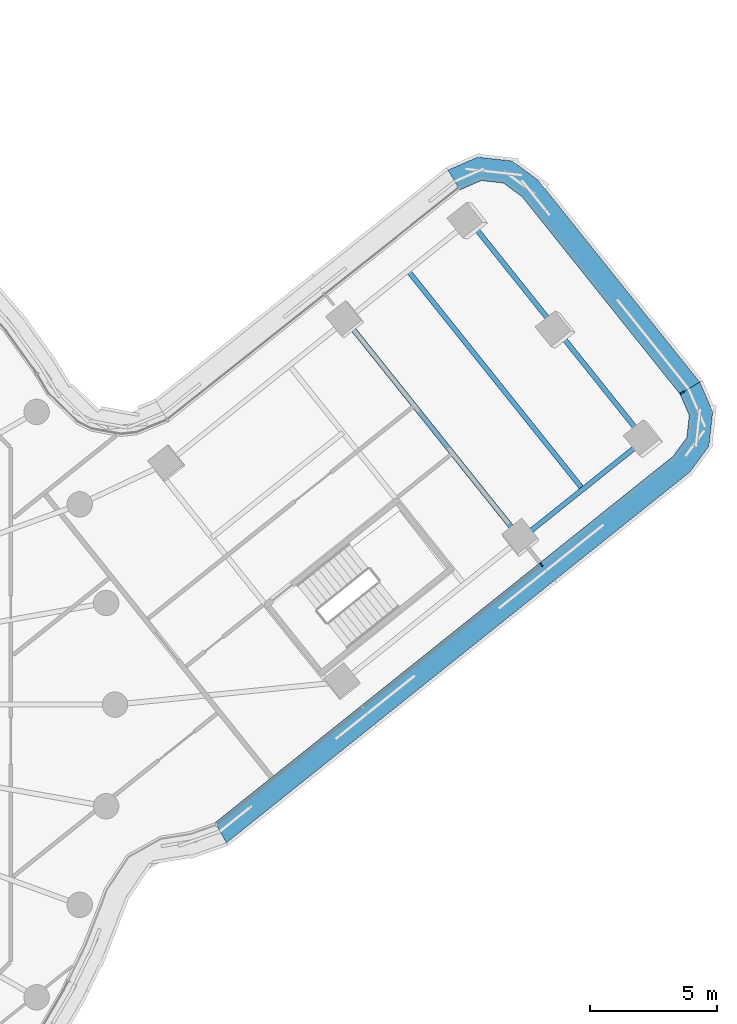
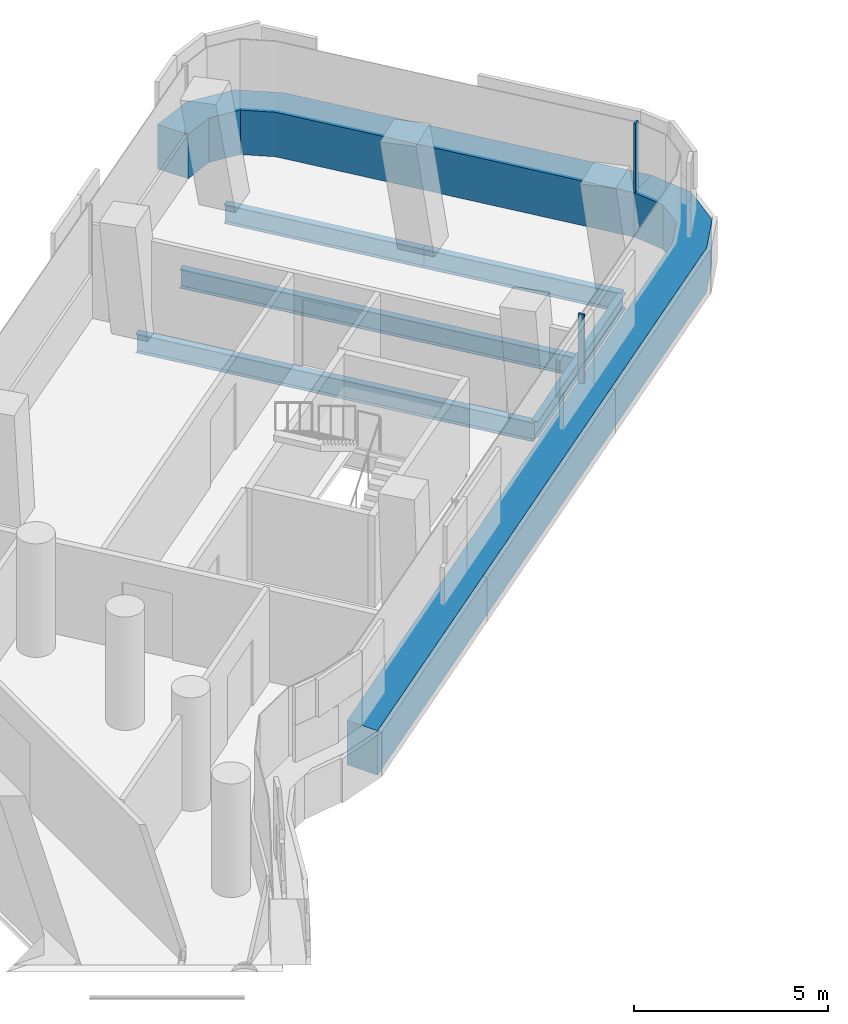
# One storey, part 12 of 31: 5 beams, 4 members, 2 elements without a shape of their own.
"""IFC4 building model written with IfcOpenShell, lengths in metres."""

from ifc_helpers import new_model, si_unit, direction, frame, origin, origin_2d, place, context, subcontext, project, spatial, polyline, rectangle, i_section, outline, extrude, material, layer, layer_set, material_profile, profile_set, type_object, element, aggregate, save


model = new_model("IFC4")

# Units and contexts
model_context = context("Model", 3, precision=1e-05, world=origin(), true_north=direction((0.0, 1.0)))
body_context = subcontext(model_context, "Body", "Model", "MODEL_VIEW")
ifc_project = project(units=[si_unit("LENGTHUNIT", "METRE"), si_unit("AREAUNIT", "SQUARE_METRE"), si_unit("VOLUMEUNIT", "CUBIC_METRE"), si_unit("PLANEANGLEUNIT", "RADIAN"), si_unit("MASSUNIT", "GRAM", prefix="KILO")], contexts=[model_context])

# Site, building, storey
site_placement = place(None, origin())
site = spatial("IfcSite", under=ifc_project, at=site_placement, CompositionType="ELEMENT")
building_placement = place(site_placement, origin())
building = spatial("IfcBuilding", under=site, at=building_placement, Name="Tamarind Cross Interchange Tower", CompositionType="ELEMENT")
storey_placement = place(building_placement, frame((0.0, 0.0, 174.25)))
storey = spatial("IfcBuildingStorey", under=building, at=storey_placement, Name="L43", CompositionType="ELEMENT", Elevation=174.25)

# Beams
ifc_material_1 = material(Name="Steel Q355B", Category="steel")
ifc_material_profile_1 = material_profile(ifc_material_1, i_section(OverallWidth=0.198974609375, OverallDepth=0.49609375, WebThickness=0.009033203125, FlangeThickness=0.013916015625, FilletRadius=0.012939453125, at=origin_2d()), Name="HN 496x199x9x14")
ifc_profile_set_1 = profile_set([ifc_material_profile_1], Name="Steel Q355B")
beam_type_1 = type_object("IfcBeamType", Name="Composite beam HN 496x199x9x14 Q355B", PredefinedType="BEAM", material=ifc_profile_set_1)
beam_placement = place(storey_placement, frame((43.814697265625, 10.406982421875, -0.387939453125), z_axis=(-0.780903184631, -0.624652076145, 0.0), x_axis=(0.624652076145, -0.780903184631, 0.0)))
element("IfcBeam", 1, at=beam_placement, inside=storey, type_object=beam_type_1, Name="Beam E-edgeem5", PredefinedType="BEAM", context=body_context, shape_type="SweptSolid", body=[
    extrude(i_section(OverallWidth=0.198974609375, OverallDepth=0.49609375, WebThickness=0.009033203125, FlangeThickness=0.013916015625, FilletRadius=0.012939453125, at=origin_2d()), origin(), (0.0, 0.0, 1.0), 6.23583984375),
])
ifc_material_profile_2 = material_profile(ifc_material_1, i_section(OverallWidth=0.199951171875, OverallDepth=0.60009765625, WebThickness=0.010986328125, FlangeThickness=0.01708984375, FilletRadius=0.012939453125, at=origin_2d()), Name="HN 600x200x11x17")
ifc_profile_set_2 = profile_set([ifc_material_profile_2], Name="Steel Q355B")
beam_type_2 = type_object("IfcBeamType", Name="Composite beam HN 600x200x11x17 Q355B", PredefinedType="BEAM", material=ifc_profile_set_2)
for number, where, z_axis, x_axis, name in (
    (2, (43.814697265625, 10.406982421875, -0.43994140625), (-0.624678807739, 0.780881801019, 0.0), (-0.780881801019, -0.624678807739, 0.0), "Beam E-tip0"),
    (3, (40.37890625, 14.701904296875, -0.43994140625), (-0.624651739578, 0.780903453855, 0.0), (-0.780903453855, -0.624651739578, 0.0), "Beam E-tip1"),
):
    element("IfcBeam", number, at=place(storey_placement, frame(where, z_axis=z_axis, x_axis=x_axis)), inside=storey, type_object=beam_type_2, Name=name, PredefinedType="BEAM", context=body_context, shape_type="SweptSolid", body=[
        extrude(i_section(OverallWidth=0.199951171875, OverallDepth=0.60009765625, WebThickness=0.010986328125, FlangeThickness=0.01708984375, FilletRadius=0.012939453125, at=origin_2d()), origin(), (0.0, 0.0, 1.0), 5.5),
    ])
for number, where, z_axis, x_axis, name in (
    (4, (38.945068359375, 6.51171875, -0.43994140625), (-0.62466527394, 0.780892627404, 0.0), (-0.780892627404, -0.62466527394, 0.0), "Beam E-x393"),
    (5, (41.3798828125, 8.45947265625, -0.43994140625), (-0.62466527394, 0.780892627404, 0.0), (-0.780892627404, -0.62466527394, 0.0), "Beam E-x424"),
):
    element("IfcBeam", number, at=place(storey_placement, frame(where, z_axis=z_axis, x_axis=x_axis)), inside=storey, type_object=beam_type_2, Name=name, PredefinedType="BEAM", context=body_context, shape_type="SweptSolid", body=[
        extrude(i_section(OverallWidth=0.199951171875, OverallDepth=0.60009765625, WebThickness=0.010986328125, FlangeThickness=0.01708984375, FilletRadius=0.012939453125, at=origin_2d()), origin(), (0.0, 0.0, 1.0), 11.0),
    ])

# Curtain wall, member
ifc_material_2 = material(Name="Aluminium 6063-T6", Category="aluminium")
ifc_layer = layer(ifc_material_2, 0.159912109375)
ifc_layer_set = layer_set([ifc_layer], Name="Aluminium 6063-T6")
curtain_wall_type = type_object("IfcCurtainWallType", Name="Office curtain wall, 9.0 m bays", PredefinedType="NOTDEFINED", material=ifc_layer_set)
curtain_wall_1_placement = place(storey_placement, origin())
curtain_wall_1 = element("IfcCurtainWall", 6, at=curtain_wall_1_placement, inside=storey, type_object=curtain_wall_type, Name="CWS-L43-07", PredefinedType="NOTDEFINED")
ifc_material_3 = material(Name="Aluminium and insulated spandrel panel", Category="aluminium")
member_type_1 = type_object("IfcMemberType", Name="Floor-edge blade transom", PredefinedType="USERDEFINED", material=ifc_material_3)
member_1_placement = place(storey_placement, origin())
member_1 = element("IfcMember", 7, at=member_1_placement, type_object=member_type_1, Name="CWT-L43-07", ObjectType="TRANSOM", PredefinedType="USERDEFINED", context=body_context, shape_type="SweptSolid", body=[
    extrude(outline(polyline([(26.933837890625, -4.633056640625), (44.921875, 9.756103515625), (45.46435546875, 10.493408203125), (45.560791015625, 11.362548828125), (45.193603515625, 12.201171875), (45.970458984375, 12.670654296875), (46.48193359375, 11.5029296875), (46.33203125, 10.154296875), (45.57666015625, 9.127197265625), (27.377197265625, -5.430908203125), (26.933837890625, -4.633056640625)])), origin(), (0.0, 0.0, 1.0), 1.39990234375),
])

curtain_wall_2_placement = place(storey_placement, origin())
curtain_wall_2 = element("IfcCurtainWall", 8, at=curtain_wall_2_placement, inside=storey, type_object=curtain_wall_type, Name="CWS-L43-08", PredefinedType="NOTDEFINED")
member_2_placement = place(storey_placement, origin())
member_2 = element("IfcMember", 9, at=member_2_placement, type_object=member_type_1, Name="CWT-L43-08", ObjectType="TRANSOM", PredefinedType="USERDEFINED", context=body_context, shape_type="SweptSolid", body=[
    extrude(outline(polyline([(45.193603515625, 12.201171875), (38.996337890625, 19.9482421875), (38.259033203125, 20.49072265625), (37.389892578125, 20.58740234375), (36.551025390625, 20.219970703125), (36.08251953125, 20.997314453125), (37.24951171875, 21.508544921875), (38.59814453125, 21.358642578125), (39.625, 20.60302734375), (45.970458984375, 12.670654296875), (45.193603515625, 12.201171875)])), origin(), (0.0, 0.0, 1.0), 1.39990234375),
])

# Member
ifc_material_profile_3 = material_profile(ifc_material_2, rectangle(XDim=0.06005859375, YDim=0.159912109375, at=origin_2d()), Name="Mullion CW1")
ifc_profile_set_3 = profile_set([ifc_material_profile_3], Name="Aluminium 6063-T6")
member_type_2 = type_object("IfcMemberType", Name="Mullion CW1", PredefinedType="MULLION", material=ifc_profile_set_3)
member_3_placement = place(storey_placement, frame((39.750244140625, 5.4912109375, 1.39990234375), z_axis=(0.0, 0.0, 1.0), x_axis=(0.780892885425, 0.624664951388, 0.0)))
member_3 = element("IfcMember", 10, at=member_3_placement, type_object=member_type_2, Name="CWM-L43-07-02", PredefinedType="MULLION", context=body_context, shape_type="SweptSolid", body=[
    extrude(rectangle(XDim=0.06005859375, YDim=0.159912109375, at=origin_2d()), origin(), (0.0, 0.0, 1.0), 2.170166015625),
])

aggregate(curtain_wall_1, [member_3, member_1])

member_4_placement = place(storey_placement, frame((45.27978515625, 12.253173828125, 1.39990234375), z_axis=(0.0, 0.0, 1.0), x_axis=(-0.517393881268, 0.855747376056, 0.0)))
member_4 = element("IfcMember", 11, at=member_4_placement, type_object=member_type_2, Name="CWM-L43-08-00", PredefinedType="MULLION", context=body_context, shape_type="SweptSolid", body=[
    extrude(rectangle(XDim=0.06005859375, YDim=0.159912109375, at=origin_2d()), origin(), (0.0, 0.0, 1.0), 2.170166015625),
])

aggregate(curtain_wall_2, [member_4, member_2])

save(model, "model.ifc")
